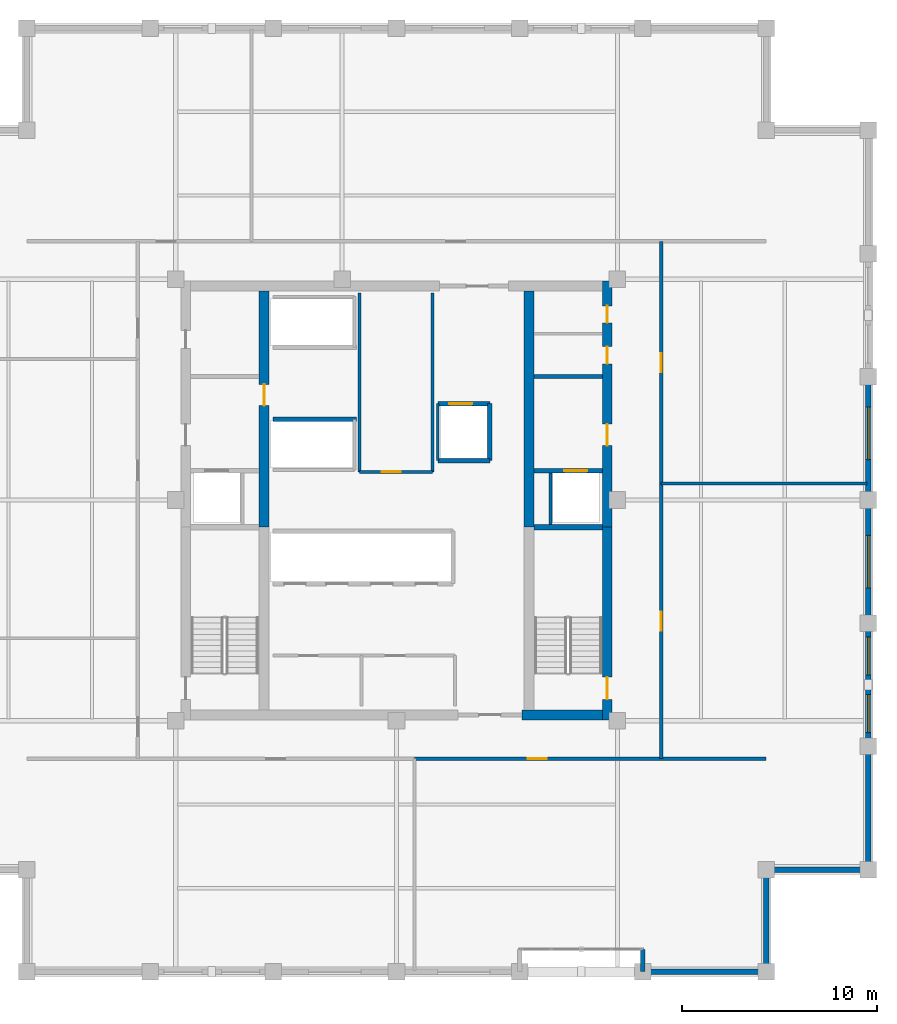
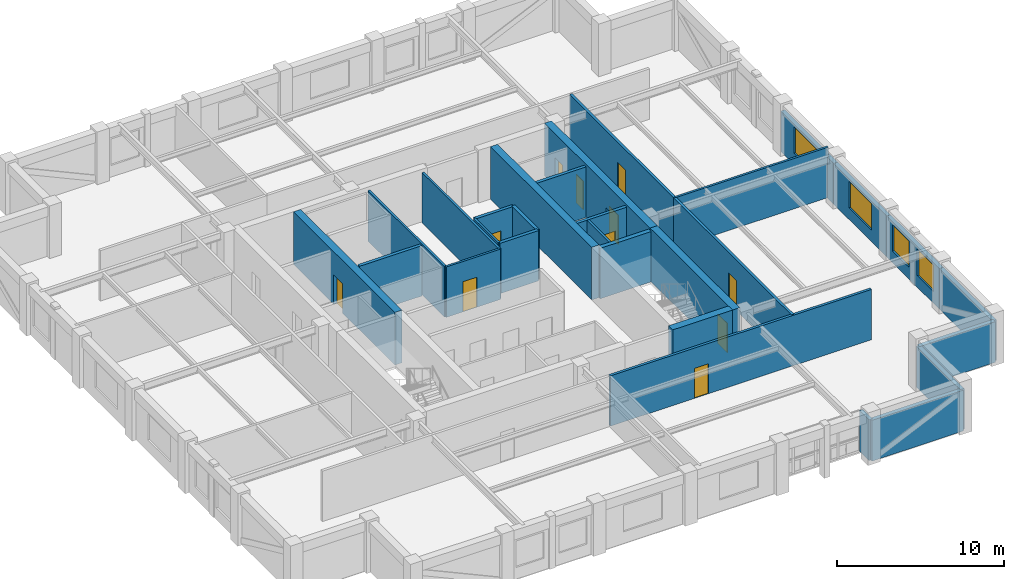
# One storey, part 7 of 10: 29 walls, 11 doors, 4 windows, 15 openings.
"""IFC4 building model written with IfcOpenShell, lengths in metres."""

from ifc_helpers import new_model, si_unit, direction, frame, frame_2d, origin, place, context, subcontext, project, spatial, rectangle, extrude, material, layer, layer_set, type_object, element, fill, save


model = new_model("IFC4")

# Units and contexts
model_context = context("Model", 3, precision=1e-05, world=origin(), true_north=direction((0.0, 1.0)))
body_context = subcontext(model_context, "Body", "Model", "MODEL_VIEW")
ifc_project = project(units=[si_unit("LENGTHUNIT", "METRE"), si_unit("AREAUNIT", "SQUARE_METRE"), si_unit("VOLUMEUNIT", "CUBIC_METRE"), si_unit("PLANEANGLEUNIT", "RADIAN"), si_unit("MASSUNIT", "GRAM", prefix="KILO")], contexts=[model_context])

# Site, building, storey
site_placement = place(None, origin())
site = spatial("IfcSite", under=ifc_project, at=site_placement, CompositionType="ELEMENT")
building_placement = place(site_placement, origin())
building = spatial("IfcBuilding", under=site, at=building_placement, Name="Nhamokura Convention Tower", CompositionType="ELEMENT")
storey_placement = place(building_placement, frame((0.0, 0.0, 210.0)))
storey = spatial("IfcBuildingStorey", under=building, at=storey_placement, Name="L51", CompositionType="ELEMENT", Elevation=210.0)

# Walls
ifc_material_1 = material(Name="Bronze-pigmented precast concrete C45/55", Category="concrete")
ifc_layer_1 = layer(ifc_material_1, 0.280029296875)
ifc_layer_set_1 = layer_set([ifc_layer_1], Name="BronzePrecastSpandrel_280")
wall_type_1 = type_object("IfcWallType", Name="BronzePrecastSpandrel_280", PredefinedType="USERDEFINED", material=ifc_layer_set_1)
wall_1_placement = place(storey_placement, frame((44.666748046875, 7.75, 0.0), z_axis=(0.0, 0.0, 1.0), x_axis=(0.0, 1.0, 0.0)))
element("IfcWall", 1, at=wall_1_placement, inside=storey, type_object=wall_type_1, Name="L51 Scale Slot Cheek Wall SOUTHB", ObjectType="SPANDREL_WALL", PredefinedType="USERDEFINED", context=body_context, shape_type="SweptSolid", body=[
    extrude(rectangle(XDim=1.14990234375, YDim=0.239990234375, at=frame_2d((0.574951171875, 0.0))), origin(), (0.0, 0.0, 1.0), 2.985107421875),
])
for number, where, z_axis, x_axis, name in (
    (2, (51.0, 7.75, 0.0), (0.0, 0.0, 1.0), (-1.0, 0.0, 0.0), "L51 Braced-Bay Precast Wall SOUTH 5"),
    (3, (56.25, 19.333251953125, 0.0), (0.0, 0.0, 1.0), (0.0, -1.0, 0.0), "L51 Braced-Bay Precast Wall EAST 0"),
):
    element("IfcWall", number, at=place(storey_placement, frame(where, z_axis=z_axis, x_axis=x_axis)), inside=storey, type_object=wall_type_1, Name=name, ObjectType="SPANDREL_WALL", PredefinedType="USERDEFINED", context=body_context, shape_type="SweptSolid", body=[
        extrude(rectangle(XDim=6.333251953125, YDim=0.280029296875, at=frame_2d((3.16650390625, 0.0))), origin(), (0.0, 0.0, 1.0), 2.985107421875),
    ])

# Wall, openings, windows
wall_2_placement = place(storey_placement, frame((56.25, 25.666748046875, 0.0), z_axis=(0.0, 0.0, 1.0), x_axis=(0.0, -1.0, 0.0)))
wall_2 = element("IfcWall", 4, at=wall_2_placement, inside=storey, type_object=wall_type_1, Name="L51 Masonry-Frame Wall EAST 1", ObjectType="SPANDREL_WALL", PredefinedType="USERDEFINED", context=body_context, shape_type="SweptSolid", body=[
    extrude(rectangle(XDim=6.33349609375, YDim=0.280029296875, at=frame_2d((3.166748046875, 0.0))), origin(), (0.0, 0.0, 1.0), 2.985107421875),
])
opening_1_placement = place(wall_2_placement, frame((0.708251953125, 0.0, 0.85009765625)))
opening_1 = element("IfcOpeningElement", 5, at=opening_1_placement, cuts=wall_2, Name="Opening W-08", PredefinedType="OPENING", context=body_context, shape_type="SweptSolid", body=[
    extrude(rectangle(XDim=1.949951171875, YDim=1.93505859375, at=frame_2d((0.97509765625, 0.967529296875))), frame((0.0, 0.14990234375, 0.0), z_axis=(0.0, -1.0, 0.0), x_axis=(1.0, 0.0, 0.0)), (0.0, 0.0, 1.0), 0.300048828125),
])
opening_2_placement = place(wall_2_placement, frame((3.675048828125, 0.0, 0.85009765625)))
opening_2 = element("IfcOpeningElement", 6, at=opening_2_placement, cuts=wall_2, Name="Opening W-08", PredefinedType="OPENING", context=body_context, shape_type="SweptSolid", body=[
    extrude(rectangle(XDim=1.949951171875, YDim=1.93505859375, at=frame_2d((0.97509765625, 0.967529296875))), frame((0.0, 0.14990234375, 0.0), z_axis=(0.0, -1.0, 0.0), x_axis=(1.0, 0.0, 0.0)), (0.0, 0.0, 1.0), 0.300048828125),
])
ifc_material_2 = material(Name="Solar-control bronze low-E double glass", Category="glass")
window_type_1 = type_object("IfcWindowType", Name="OfficeModuleWindow_Z3_1950", PartitioningType="SINGLE_PANEL", PredefinedType="WINDOW", material=ifc_material_2)
window_1_placement = place(opening_1_placement, origin())
window_1 = element("IfcWindow", 7, at=window_1_placement, inside=storey, type_object=window_type_1, Name="L51 Facade Window EAST 1-1", OverallHeight=1.93505859375, OverallWidth=1.949951171875, PartitioningType="SINGLE_PANEL", PredefinedType="WINDOW", context=body_context, shape_type="SweptSolid", body=[
    extrude(rectangle(XDim=1.949951171875, YDim=1.93505859375, at=frame_2d((0.97509765625, 0.967529296875))), frame((0.0, 0.030029296875, 0.0), z_axis=(0.0, -1.0, 0.0), x_axis=(1.0, 0.0, 0.0)), (0.0, 0.0, 1.0), 0.06005859375),
])
fill(opening_1, window_1)
window_2_placement = place(opening_2_placement, origin())
window_2 = element("IfcWindow", 8, at=window_2_placement, inside=storey, type_object=window_type_1, Name="L51 Facade Window EAST 1-2", OverallHeight=1.93505859375, OverallWidth=1.949951171875, PartitioningType="SINGLE_PANEL", PredefinedType="WINDOW", context=body_context, shape_type="SweptSolid", body=[
    extrude(rectangle(XDim=1.949951171875, YDim=1.93505859375, at=frame_2d((0.97509765625, 0.967529296875))), frame((0.0, 0.030029296875, 0.0), z_axis=(0.0, -1.0, 0.0), x_axis=(1.0, 0.0, 0.0)), (0.0, 0.0, 1.0), 0.06005859375),
])
fill(opening_2, window_2)

# Wall, opening, window
wall_3_placement = place(storey_placement, frame((56.25, 32.0, 0.0), z_axis=(0.0, 0.0, 1.0), x_axis=(0.0, -1.0, 0.0)))
wall_3 = element("IfcWall", 9, at=wall_3_placement, inside=storey, type_object=wall_type_1, Name="L51 Masonry-Frame Wall EAST 2", ObjectType="SPANDREL_WALL", PredefinedType="USERDEFINED", context=body_context, shape_type="SweptSolid", body=[
    extrude(rectangle(XDim=6.333251953125, YDim=0.280029296875, at=frame_2d((3.16650390625, 0.0))), origin(), (0.0, 0.0, 1.0), 2.985107421875),
])
opening_3_placement = place(wall_3_placement, frame((1.816650390625, 0.0, 0.85009765625)))
opening_3 = element("IfcOpeningElement", 10, at=opening_3_placement, cuts=wall_3, Name="Opening W-07", PredefinedType="OPENING", context=body_context, shape_type="SweptSolid", body=[
    extrude(rectangle(XDim=2.699951171875, YDim=1.93505859375, at=frame_2d((1.35009765625, 0.967529296875))), frame((0.0, 0.14990234375, 0.0), z_axis=(0.0, -1.0, 0.0), x_axis=(1.0, 0.0, 0.0)), (0.0, 0.0, 1.0), 0.300048828125),
])
ifc_material_3 = material(Name="Solar-control bronze low-E double glass", Category="glass")
window_type_2 = type_object("IfcWindowType", Name="OfficeModuleWindow_Z3_2700", PartitioningType="DOUBLE_PANEL_VERTICAL", PredefinedType="WINDOW", material=ifc_material_3)
window_3_placement = place(opening_3_placement, origin())
window_3 = element("IfcWindow", 11, at=window_3_placement, inside=storey, type_object=window_type_2, Name="L51 Facade Window EAST 2", OverallHeight=1.93505859375, OverallWidth=2.699951171875, PartitioningType="SINGLE_PANEL", PredefinedType="WINDOW", context=body_context, shape_type="SweptSolid", body=[
    extrude(rectangle(XDim=2.699951171875, YDim=1.93505859375, at=frame_2d((1.35009765625, 0.967529296875))), frame((0.0, 0.030029296875, 0.0), z_axis=(0.0, -1.0, 0.0), x_axis=(1.0, 0.0, 0.0)), (0.0, 0.0, 1.0), 0.06005859375),
])
fill(opening_3, window_3)

wall_4_placement = place(storey_placement, frame((56.25, 38.333251953125, 0.0), z_axis=(0.0, 0.0, 1.0), x_axis=(0.0, -1.0, 0.0)))
wall_4 = element("IfcWall", 12, at=wall_4_placement, inside=storey, type_object=wall_type_1, Name="L51 Masonry-Frame Wall EAST 3", ObjectType="SPANDREL_WALL", PredefinedType="USERDEFINED", context=body_context, shape_type="SweptSolid", body=[
    extrude(rectangle(XDim=6.333251953125, YDim=0.280029296875, at=frame_2d((3.16650390625, 0.0))), origin(), (0.0, 0.0, 1.0), 2.985107421875),
])
opening_4_placement = place(wall_4_placement, frame((1.55419921875, 0.0, 0.85009765625)))
opening_4 = element("IfcOpeningElement", 13, at=opening_4_placement, cuts=wall_4, Name="Opening W-07", PredefinedType="OPENING", context=body_context, shape_type="SweptSolid", body=[
    extrude(rectangle(XDim=2.699951171875, YDim=1.93505859375, at=frame_2d((1.35009765625, 0.967529296875))), frame((0.0, 0.14990234375, 0.0), z_axis=(0.0, -1.0, 0.0), x_axis=(1.0, 0.0, 0.0)), (0.0, 0.0, 1.0), 0.300048828125),
])
window_4_placement = place(opening_4_placement, origin())
window_4 = element("IfcWindow", 14, at=window_4_placement, inside=storey, type_object=window_type_2, Name="L51 Facade Window EAST 3", OverallHeight=1.93505859375, OverallWidth=2.699951171875, PartitioningType="SINGLE_PANEL", PredefinedType="WINDOW", context=body_context, shape_type="SweptSolid", body=[
    extrude(rectangle(XDim=2.699951171875, YDim=1.93505859375, at=frame_2d((1.35009765625, 0.967529296875))), frame((0.0, 0.030029296875, 0.0), z_axis=(0.0, -1.0, 0.0), x_axis=(1.0, 0.0, 0.0)), (0.0, 0.0, 1.0), 0.06005859375),
])
fill(opening_4, window_4)

# Walls
for number, where, z_axis, x_axis, name in (
    (15, (51.0, 13.0, 0.0), (0.0, 0.0, 1.0), (0.0, -1.0, 0.0), "L51 Notched Corner Wall SE1"),
    (16, (56.25, 13.0, 0.0), (0.0, 0.0, 1.0), (-1.0, 0.0, 0.0), "L51 Notched Corner Wall SE2"),
):
    element("IfcWall", number, at=place(storey_placement, frame(where, z_axis=z_axis, x_axis=x_axis)), inside=storey, type_object=wall_type_1, Name=name, ObjectType="SPANDREL_WALL", PredefinedType="USERDEFINED", context=body_context, shape_type="SweptSolid", body=[
        extrude(rectangle(XDim=5.25, YDim=0.280029296875, at=frame_2d((2.625, 0.0))), origin(), (0.0, 0.0, 1.0), 2.985107421875),
    ])

# Wall, opening, door
ifc_material_4 = material(Name="Concrete C60/75", Category="concrete")
ifc_layer_2 = layer(ifc_material_4, 0.5)
ifc_layer_set_2 = layer_set([ifc_layer_2], Name="CoreShearWall_500")
wall_type_2 = type_object("IfcWallType", Name="CoreShearWall_500", PredefinedType="SHEAR", material=ifc_layer_set_2)
wall_5_placement = place(storey_placement, frame((42.840087890625, 20.699951171875, 0.0), z_axis=(0.0, 0.0, 1.0), x_axis=(0.0, 1.0, 0.0)))
wall_5 = element("IfcWall", 17, at=wall_5_placement, inside=storey, type_object=wall_type_2, Name="L51 Core Shear Wall CW-ES", PredefinedType="SHEAR", context=body_context, shape_type="SweptSolid", body=[
    extrude(rectangle(XDim=9.900146484375, YDim=0.5, at=frame_2d((4.9501953125, 0.0))), origin(), (0.0, 0.0, 1.0), 3.85009765625),
])
opening_5_placement = place(wall_5_placement, frame((1.050048828125, 0.0, 0.0)))
opening_5 = element("IfcOpeningElement", 18, at=opening_5_placement, cuts=wall_5, Name="Opening D-04", PredefinedType="OPENING", context=body_context, shape_type="SweptSolid", body=[
    extrude(rectangle(XDim=1.14990234375, YDim=2.14990234375, at=frame_2d((0.574951171875, 1.074951171875))), frame((0.0, 0.260009765625, 0.0), z_axis=(0.0, -1.0, 0.0), x_axis=(1.0, 0.0, 0.0)), (0.0, 0.0, 1.0), 0.52001953125),
])
ifc_material_5 = material(Name="Fire-rated steel door", Category="steel")
door_type_1 = type_object("IfcDoorType", Name="StairSmokeDoor_1150", OperationType="NOTDEFINED", PredefinedType="DOOR", material=ifc_material_5)
door_1_placement = place(opening_5_placement, origin())
door_1 = element("IfcDoor", 19, at=door_1_placement, inside=storey, type_object=door_type_1, Name="L51 Core Door INT-L51-D-ST02", OperationType="SINGLE_SWING_RIGHT", OverallHeight=2.14990234375, OverallWidth=1.14990234375, PredefinedType="DOOR", context=body_context, shape_type="SweptSolid", body=[
    extrude(rectangle(XDim=1.14990234375, YDim=2.14990234375, at=frame_2d((0.574951171875, 1.074951171875))), frame((0.0, 0.02490234375, 0.0), z_axis=(0.0, -1.0, 0.0), x_axis=(1.0, 0.0, 0.0)), (0.0, 0.0, 1.0), 0.050048828125),
])
fill(opening_5, door_1)

# Wall, openings, doors
wall_6_placement = place(storey_placement, frame((42.840087890625, 30.60009765625, 0.0), z_axis=(0.0, 0.0, 1.0), x_axis=(0.0, 1.0, 0.0)))
wall_6 = element("IfcWall", 20, at=wall_6_placement, inside=storey, type_object=wall_type_2, Name="L51 Core Shear Wall CW-EN", PredefinedType="SHEAR", context=body_context, shape_type="SweptSolid", body=[
    extrude(rectangle(XDim=12.64990234375, YDim=0.5, at=frame_2d((6.324951171875, 0.0))), origin(), (0.0, 0.0, 1.0), 3.85009765625),
])
opening_6_placement = place(wall_6_placement, frame((4.199951171875, 0.0, 0.0)))
opening_6 = element("IfcOpeningElement", 21, at=opening_6_placement, cuts=wall_6, Name="Opening D-05", PredefinedType="OPENING", context=body_context, shape_type="SweptSolid", body=[
    extrude(rectangle(XDim=1.10009765625, YDim=2.14990234375, at=frame_2d((0.550048828125, 1.074951171875))), frame((0.0, 0.260009765625, 0.0), z_axis=(0.0, -1.0, 0.0), x_axis=(1.0, 0.0, 0.0)), (0.0, 0.0, 1.0), 0.52001953125),
])
opening_7_placement = place(wall_6_placement, frame((8.39990234375, 0.0, 0.0)))
opening_7 = element("IfcOpeningElement", 22, at=opening_7_placement, cuts=wall_6, Name="Opening D-11", PredefinedType="OPENING", context=body_context, shape_type="SweptSolid", body=[
    extrude(rectangle(XDim=0.8798828125, YDim=2.10009765625, at=frame_2d((0.43994140625, 1.050048828125))), frame((0.0, 0.260009765625, 0.0), z_axis=(0.0, -1.0, 0.0), x_axis=(1.0, 0.0, 0.0)), (0.0, 0.0, 1.0), 0.52001953125),
])
opening_8_placement = place(wall_6_placement, frame((10.5, 0.0, 0.0)))
opening_8 = element("IfcOpeningElement", 23, at=opening_8_placement, cuts=wall_6, Name="Opening D-11", PredefinedType="OPENING", context=body_context, shape_type="SweptSolid", body=[
    extrude(rectangle(XDim=0.8798828125, YDim=2.10009765625, at=frame_2d((0.43994140625, 1.050048828125))), frame((0.0, 0.260009765625, 0.0), z_axis=(0.0, -1.0, 0.0), x_axis=(1.0, 0.0, 0.0)), (0.0, 0.0, 1.0), 0.52001953125),
])
ifc_material_6 = material(Name="Solid oak hardwood", Category="wood")
door_type_2 = type_object("IfcDoorType", Name="BathroomDoor_880", OperationType="NOTDEFINED", PredefinedType="DOOR", material=ifc_material_6)
door_2_placement = place(opening_7_placement, origin())
door_2 = element("IfcDoor", 24, at=door_2_placement, inside=storey, type_object=door_type_2, Name="L51 Core Door INT-L51-D-MWC", OperationType="SINGLE_SWING_RIGHT", OverallHeight=2.10009765625, OverallWidth=0.8798828125, PredefinedType="DOOR", context=body_context, shape_type="SweptSolid", body=[
    extrude(rectangle(XDim=0.8798828125, YDim=2.10009765625, at=frame_2d((0.43994140625, 1.050048828125))), frame((0.0, 0.02490234375, 0.0), z_axis=(0.0, -1.0, 0.0), x_axis=(1.0, 0.0, 0.0)), (0.0, 0.0, 1.0), 0.050048828125),
])
fill(opening_7, door_2)
door_3_placement = place(opening_8_placement, origin())
door_3 = element("IfcDoor", 25, at=door_3_placement, inside=storey, type_object=door_type_2, Name="L51 Core Door INT-L51-D-FWC", OperationType="SINGLE_SWING_LEFT", OverallHeight=2.10009765625, OverallWidth=0.8798828125, PredefinedType="DOOR", context=body_context, shape_type="SweptSolid", body=[
    extrude(rectangle(XDim=0.8798828125, YDim=2.10009765625, at=frame_2d((0.43994140625, 1.050048828125))), frame((0.0, 0.02490234375, 0.0), z_axis=(0.0, -1.0, 0.0), x_axis=(1.0, 0.0, 0.0)), (0.0, 0.0, 1.0), 0.050048828125),
])
fill(opening_8, door_3)
ifc_material_7 = material(Name="Fire-rated steel door", Category="steel")
door_type_3 = type_object("IfcDoorType", Name="FireLobbyDoor_1100", OperationType="NOTDEFINED", PredefinedType="DOOR", material=ifc_material_7)
door_4_placement = place(opening_6_placement, origin())
door_4 = element("IfcDoor", 26, at=door_4_placement, inside=storey, type_object=door_type_3, Name="L51 Core Door INT-L51-D-FFLE", OperationType="SINGLE_SWING_LEFT", OverallHeight=2.14990234375, OverallWidth=1.10009765625, PredefinedType="DOOR", context=body_context, shape_type="SweptSolid", body=[
    extrude(rectangle(XDim=1.10009765625, YDim=2.14990234375, at=frame_2d((0.550048828125, 1.074951171875))), frame((0.0, 0.02490234375, 0.0), z_axis=(0.0, -1.0, 0.0), x_axis=(1.0, 0.0, 0.0)), (0.0, 0.0, 1.0), 0.050048828125),
])
fill(opening_6, door_4)

# Wall
wall_7_placement = place(storey_placement, frame((38.449951171875, 20.949951171875, 0.0), z_axis=(0.0, 0.0, 1.0), x_axis=(1.0, 0.0, 0.0)))
element("IfcWall", 27, at=wall_7_placement, inside=storey, type_object=wall_type_2, Name="L51 Core Shear Wall CW-S2", PredefinedType="SHEAR", context=body_context, shape_type="SweptSolid", body=[
    extrude(rectangle(XDim=4.14013671875, YDim=0.5, at=frame_2d((2.070068359375, 0.0))), origin(), (0.0, 0.0, 1.0), 3.85009765625),
])

# Wall, opening, door
wall_8_placement = place(storey_placement, frame((25.18994140625, 30.60009765625, 0.0), z_axis=(0.0, 0.0, 1.0), x_axis=(0.0, 1.0, 0.0)))
wall_8 = element("IfcWall", 28, at=wall_8_placement, inside=storey, type_object=wall_type_2, Name="L51 Core Shear Wall CW-IWN", PredefinedType="SHEAR", context=body_context, shape_type="SweptSolid", body=[
    extrude(rectangle(XDim=12.14990234375, YDim=0.5, at=frame_2d((6.074951171875, 0.0))), origin(), (0.0, 0.0, 1.0), 3.85009765625),
])
opening_9_placement = place(wall_8_placement, frame((6.25, 0.0, 0.0)))
opening_9 = element("IfcOpeningElement", 29, at=opening_9_placement, cuts=wall_8, Name="Opening D-05", PredefinedType="OPENING", context=body_context, shape_type="SweptSolid", body=[
    extrude(rectangle(XDim=1.10009765625, YDim=2.14990234375, at=frame_2d((0.550048828125, 1.074951171875))), frame((0.0, 0.260009765625, 0.0), z_axis=(0.0, -1.0, 0.0), x_axis=(1.0, 0.0, 0.0)), (0.0, 0.0, 1.0), 0.52001953125),
])
door_5_placement = place(opening_9_placement, origin())
door_5 = element("IfcDoor", 30, at=door_5_placement, inside=storey, type_object=door_type_3, Name="L51 Core Door INT-L51-D-B3LOB", OperationType="SINGLE_SWING_LEFT", OverallHeight=2.14990234375, OverallWidth=1.10009765625, PredefinedType="DOOR", context=body_context, shape_type="SweptSolid", body=[
    extrude(rectangle(XDim=1.10009765625, YDim=2.14990234375, at=frame_2d((0.550048828125, 1.074951171875))), frame((0.0, 0.02490234375, 0.0), z_axis=(0.0, -1.0, 0.0), x_axis=(1.0, 0.0, 0.0)), (0.0, 0.0, 1.0), 0.050048828125),
])
fill(opening_9, door_5)

# Wall
wall_9_placement = place(storey_placement, frame((38.81005859375, 30.60009765625, 0.0), z_axis=(0.0, 0.0, 1.0), x_axis=(0.0, 1.0, 0.0)))
element("IfcWall", 31, at=wall_9_placement, inside=storey, type_object=wall_type_2, Name="L51 Core Shear Wall CW-IEN", PredefinedType="SHEAR", context=body_context, shape_type="SweptSolid", body=[
    extrude(rectangle(XDim=12.14990234375, YDim=0.5, at=frame_2d((6.074951171875, 0.0))), origin(), (0.0, 0.0, 1.0), 3.85009765625),
])

# Wall, opening, door
ifc_material_8 = material(Name="Fire-rated gypsum and masonry partition", Category="masonry")
ifc_layer_3 = layer(ifc_material_8, 0.179931640625)
ifc_layer_set_3 = layer_set([ifc_layer_3], Name="CorridorRatedWall_180")
wall_type_3 = type_object("IfcWallType", Name="CorridorRatedWall_180", PredefinedType="STANDARD", material=ifc_layer_set_3)
wall_10_placement = place(storey_placement, frame((32.925048828125, 18.699951171875, 0.0), z_axis=(0.0, 0.0, 1.0), x_axis=(1.0, 0.0, 0.0)))
wall_10 = element("IfcWall", 32, at=wall_10_placement, inside=storey, type_object=wall_type_3, Name="L51 Wall INT-L51-CW-S01", PredefinedType="STANDARD", context=body_context, shape_type="SweptSolid", body=[
    extrude(rectangle(XDim=18.074951171875, YDim=0.179931640625, at=frame_2d((9.03759765625, 0.0))), origin(), (0.0, 0.0, 1.0), 3.68505859375),
])
opening_10_placement = place(wall_10_placement, frame((5.8125, 0.0, 0.0)))
opening_10 = element("IfcOpeningElement", 33, at=opening_10_placement, cuts=wall_10, Name="Opening D-08", PredefinedType="OPENING", context=body_context, shape_type="SweptSolid", body=[
    extrude(rectangle(XDim=0.97998046875, YDim=2.199951171875, at=frame_2d((0.489990234375, 1.10009765625))), frame((0.0, 0.099853515625, 0.0), z_axis=(0.0, -1.0, 0.0), x_axis=(1.0, 0.0, 0.0)), (0.0, 0.0, 1.0), 0.199951171875),
])
ifc_material_9 = material(Name="Solid oak hardwood", Category="wood")
door_type_4 = type_object("IfcDoorType", Name="OfficeEntryDoor_980", OperationType="NOTDEFINED", PredefinedType="DOOR", material=ifc_material_9)
door_6_placement = place(opening_10_placement, origin())
door_6 = element("IfcDoor", 34, at=door_6_placement, inside=storey, type_object=door_type_4, Name="L51 Model Workshop S02 Door", OperationType="SINGLE_SWING_RIGHT", OverallHeight=2.199951171875, OverallWidth=0.97998046875, PredefinedType="DOOR", context=body_context, shape_type="SweptSolid", body=[
    extrude(rectangle(XDim=0.97998046875, YDim=2.199951171875, at=frame_2d((0.489990234375, 1.10009765625))), frame((0.0, 0.02490234375, 0.0), z_axis=(0.0, -1.0, 0.0), x_axis=(1.0, 0.0, 0.0)), (0.0, 0.0, 1.0), 0.050048828125),
])
fill(opening_10, door_6)

wall_11_placement = place(storey_placement, frame((45.60009765625, 18.699951171875, 0.0), z_axis=(0.0, 0.0, 1.0), x_axis=(0.0, 1.0, 0.0)))
wall_11 = element("IfcWall", 35, at=wall_11_placement, inside=storey, type_object=wall_type_3, Name="L51 Wall INT-L51-CW-E00", PredefinedType="STANDARD", context=body_context, shape_type="SweptSolid", body=[
    extrude(rectangle(XDim=14.150146484375, YDim=0.179931640625, at=frame_2d((7.0751953125, 0.0))), origin(), (0.0, 0.0, 1.0), 3.68505859375),
])
opening_11_placement = place(wall_11_placement, frame((6.574951171875, 0.0, 0.0)))
opening_11 = element("IfcOpeningElement", 36, at=opening_11_placement, cuts=wall_11, Name="Opening D-08", PredefinedType="OPENING", context=body_context, shape_type="SweptSolid", body=[
    extrude(rectangle(XDim=0.97998046875, YDim=2.199951171875, at=frame_2d((0.489990234375, 1.10009765625))), frame((0.0, 0.099853515625, 0.0), z_axis=(0.0, -1.0, 0.0), x_axis=(1.0, 0.0, 0.0)), (0.0, 0.0, 1.0), 0.199951171875),
])
door_7_placement = place(opening_11_placement, origin())
door_7 = element("IfcDoor", 37, at=door_7_placement, inside=storey, type_object=door_type_4, Name="L51 Client Lounge E01 Door", OperationType="SINGLE_SWING_LEFT", OverallHeight=2.199951171875, OverallWidth=0.97998046875, PredefinedType="DOOR", context=body_context, shape_type="SweptSolid", body=[
    extrude(rectangle(XDim=0.97998046875, YDim=2.199951171875, at=frame_2d((0.489990234375, 1.10009765625))), frame((0.0, 0.02490234375, 0.0), z_axis=(0.0, -1.0, 0.0), x_axis=(1.0, 0.0, 0.0)), (0.0, 0.0, 1.0), 0.050048828125),
])
fill(opening_11, door_7)

wall_12_placement = place(storey_placement, frame((45.60009765625, 32.85009765625, 0.0), z_axis=(0.0, 0.0, 1.0), x_axis=(0.0, 1.0, 0.0)))
wall_12 = element("IfcWall", 38, at=wall_12_placement, inside=storey, type_object=wall_type_3, Name="L51 Wall INT-L51-CW-E01", PredefinedType="STANDARD", context=body_context, shape_type="SweptSolid", body=[
    extrude(rectangle(XDim=12.449951171875, YDim=0.179931640625, at=frame_2d((6.22509765625, 0.0))), origin(), (0.0, 0.0, 1.0), 3.68505859375),
])
opening_12_placement = place(wall_12_placement, frame((5.72509765625, 0.0, 0.0)))
opening_12 = element("IfcOpeningElement", 39, at=opening_12_placement, cuts=wall_12, Name="Opening D-08", PredefinedType="OPENING", context=body_context, shape_type="SweptSolid", body=[
    extrude(rectangle(XDim=0.97998046875, YDim=2.199951171875, at=frame_2d((0.489990234375, 1.10009765625))), frame((0.0, 0.099853515625, 0.0), z_axis=(0.0, -1.0, 0.0), x_axis=(1.0, 0.0, 0.0)), (0.0, 0.0, 1.0), 0.199951171875),
])
door_8_placement = place(opening_12_placement, origin())
door_8 = element("IfcDoor", 40, at=door_8_placement, inside=storey, type_object=door_type_4, Name="L51 Collaboration Lounge E02 Door", OperationType="SINGLE_SWING_RIGHT", OverallHeight=2.199951171875, OverallWidth=0.97998046875, PredefinedType="DOOR", context=body_context, shape_type="SweptSolid", body=[
    extrude(rectangle(XDim=0.97998046875, YDim=2.199951171875, at=frame_2d((0.489990234375, 1.10009765625))), frame((0.0, 0.02490234375, 0.0), z_axis=(0.0, -1.0, 0.0), x_axis=(1.0, 0.0, 0.0)), (0.0, 0.0, 1.0), 0.050048828125),
])
fill(opening_12, door_8)

ifc_material_10 = material(Name="Autoclaved concrete blockwork", Category="masonry")
ifc_layer_4 = layer(ifc_material_10, 0.219970703125)
ifc_layer_set_4 = layer_set([ifc_layer_4], Name="FireLobbyWall_220")
wall_type_4 = type_object("IfcWallType", Name="FireLobbyWall_220", PredefinedType="STANDARD", material=ifc_layer_set_4)
wall_13_placement = place(storey_placement, frame((39.06005859375, 33.5, 0.0), z_axis=(0.0, 0.0, 1.0), x_axis=(1.0, 0.0, 0.0)))
wall_13 = element("IfcWall", 41, at=wall_13_placement, inside=storey, type_object=wall_type_4, Name="L51 Wall INT-L51-FFE-S", PredefinedType="STANDARD", context=body_context, shape_type="SweptSolid", body=[
    extrude(rectangle(XDim=3.530029296875, YDim=0.219970703125, at=frame_2d((1.76513671875, 0.0))), origin(), (0.0, 0.0, 1.0), 3.68505859375),
])
opening_13_placement = place(wall_13_placement, frame((1.550048828125, 0.0, 0.0)))
opening_13 = element("IfcOpeningElement", 42, at=opening_13_placement, cuts=wall_13, Name="Opening LD-02", PredefinedType="OPENING", context=body_context, shape_type="SweptSolid", body=[
    extrude(rectangle(XDim=1.199951171875, YDim=2.199951171875, at=frame_2d((0.60009765625, 1.10009765625))), frame((0.0, 0.119873046875, 0.0), z_axis=(0.0, -1.0, 0.0), x_axis=(1.0, 0.0, 0.0)), (0.0, 0.0, 1.0), 0.239990234375),
])
ifc_material_11 = material(Name="Anodised bronze stainless steel", Category="steel")
door_type_5 = type_object("IfcDoorType", Name="LiftLandingDoor_FireService", OperationType="DOUBLE_DOOR_SLIDING", PredefinedType="DOOR", material=ifc_material_11)
door_9_placement = place(opening_13_placement, origin())
door_9 = element("IfcDoor", 43, at=door_9_placement, inside=storey, type_object=door_type_5, Name="L51 Firefighting Lift LF-02 Door", OperationType="DOUBLE_DOOR_SLIDING", OverallHeight=2.199951171875, OverallWidth=1.199951171875, PredefinedType="DOOR", context=body_context, shape_type="SweptSolid", body=[
    extrude(rectangle(XDim=1.199951171875, YDim=2.199951171875, at=frame_2d((0.60009765625, 1.10009765625))), frame((0.0, 0.02490234375, 0.0), z_axis=(0.0, -1.0, 0.0), x_axis=(1.0, 0.0, 0.0)), (0.0, 0.0, 1.0), 0.050048828125),
])
fill(opening_13, door_9)

# Walls
wall_14_placement = place(storey_placement, frame((39.06005859375, 38.35009765625, 0.0), z_axis=(0.0, 0.0, 1.0), x_axis=(1.0, 0.0, 0.0)))
element("IfcWall", 44, at=wall_14_placement, inside=storey, type_object=wall_type_4, Name="L51 Wall INT-L51-FFE-N", PredefinedType="STANDARD", context=body_context, shape_type="SweptSolid", body=[
    extrude(rectangle(XDim=3.530029296875, YDim=0.219970703125, at=frame_2d((1.76513671875, 0.0))), origin(), (0.0, 0.0, 1.0), 3.68505859375),
])
wall_15_placement = place(storey_placement, frame((25.64990234375, 36.14990234375, 0.0), z_axis=(0.0, 0.0, 1.0), x_axis=(1.0, 0.0, 0.0)))
element("IfcWall", 45, at=wall_15_placement, inside=storey, type_object=wall_type_4, Name="L51 Wall INT-L51-B3S", PredefinedType="STANDARD", context=body_context, shape_type="SweptSolid", body=[
    extrude(rectangle(XDim=4.300048828125, YDim=0.219970703125, at=frame_2d((2.14990234375, 0.0))), origin(), (0.0, 0.0, 1.0), 3.68505859375),
])

# Wall, opening, door
wall_16_placement = place(storey_placement, frame((34.1201171875, 36.949951171875, 0.0), z_axis=(0.0, 0.0, 1.0), x_axis=(1.0, 0.0, 0.0)))
wall_16 = element("IfcWall", 46, at=wall_16_placement, inside=storey, type_object=wall_type_4, Name="L51 Wall INT-L51-LSN", PredefinedType="STANDARD", context=body_context, shape_type="SweptSolid", body=[
    extrude(rectangle(XDim=2.679931640625, YDim=0.219970703125, at=frame_2d((1.33984375, 0.0))), origin(), (0.0, 0.0, 1.0), 3.68505859375),
])
opening_14_placement = place(wall_16_placement, frame((0.580078125, 0.0, 0.0)))
opening_14 = element("IfcOpeningElement", 47, at=opening_14_placement, cuts=wall_16, Name="Opening LD-02", PredefinedType="OPENING", context=body_context, shape_type="SweptSolid", body=[
    extrude(rectangle(XDim=1.199951171875, YDim=2.199951171875, at=frame_2d((0.60009765625, 1.10009765625))), frame((0.0, 0.119873046875, 0.0), z_axis=(0.0, -1.0, 0.0), x_axis=(1.0, 0.0, 0.0)), (0.0, 0.0, 1.0), 0.239990234375),
])
door_10_placement = place(opening_14_placement, origin())
door_10 = element("IfcDoor", 48, at=door_10_placement, inside=storey, type_object=door_type_5, Name="L51 Service Lift LS-01 Door", OperationType="DOUBLE_DOOR_SLIDING", OverallHeight=2.199951171875, OverallWidth=1.199951171875, PredefinedType="DOOR", context=body_context, shape_type="SweptSolid", body=[
    extrude(rectangle(XDim=1.199951171875, YDim=2.199951171875, at=frame_2d((0.60009765625, 1.10009765625))), frame((0.0, 0.02490234375, 0.0), z_axis=(0.0, -1.0, 0.0), x_axis=(1.0, 0.0, 0.0)), (0.0, 0.0, 1.0), 0.050048828125),
])
fill(opening_14, door_10)

# Walls
wall_17_placement = place(storey_placement, frame((36.800048828125, 34.02001953125, 0.0), z_axis=(0.0, 0.0, 1.0), x_axis=(0.0, 1.0, 0.0)))
element("IfcWall", 49, at=wall_17_placement, inside=storey, type_object=wall_type_4, Name="L51 Wall INT-L51-LSE", PredefinedType="STANDARD", context=body_context, shape_type="SweptSolid", body=[
    extrude(rectangle(XDim=2.929931640625, YDim=0.219970703125, at=frame_2d((1.46484375, 0.0))), origin(), (0.0, 0.0, 1.0), 3.68505859375),
])
wall_18_placement = place(storey_placement, frame((34.1201171875, 34.02001953125, 0.0), z_axis=(0.0, 0.0, 1.0), x_axis=(1.0, 0.0, 0.0)))
element("IfcWall", 50, at=wall_18_placement, inside=storey, type_object=wall_type_4, Name="L51 Wall INT-L51-LSS", PredefinedType="STANDARD", context=body_context, shape_type="SweptSolid", body=[
    extrude(rectangle(XDim=2.679931640625, YDim=0.219970703125, at=frame_2d((1.33984375, 0.0))), origin(), (0.0, 0.0, 1.0), 3.68505859375),
])
ifc_material_12 = material(Name="Acoustic gypsum stud partition", Category="masonry")
ifc_layer_5 = layer(ifc_material_12, 0.14990234375)
ifc_layer_set_5 = layer_set([ifc_layer_5], Name="InteriorPartition_150")
wall_type_5 = type_object("IfcWallType", Name="InteriorPartition_150", PredefinedType="STANDARD", material=ifc_layer_set_5)
wall_19_placement = place(storey_placement, frame((39.919921875, 30.75, 0.0), z_axis=(0.0, 0.0, 1.0), x_axis=(0.0, 1.0, 0.0)))
element("IfcWall", 51, at=wall_19_placement, inside=storey, type_object=wall_type_5, Name="L51 Wall INT-L51-FF2-W", PredefinedType="STANDARD", context=body_context, shape_type="SweptSolid", body=[
    extrude(rectangle(XDim=2.64990234375, YDim=0.14990234375, at=frame_2d((1.324951171875, 0.0))), origin(), (0.0, 0.0, 1.0), 3.68505859375),
])
for number, where, z_axis, x_axis, name in (
    (52, (30.10009765625, 33.449951171875, 0.0), (0.0, 0.0, 1.0), (0.0, 1.0, 0.0), "L51 Wall INT-L51-ST03W"),
    (53, (33.85009765625, 33.449951171875, 0.0), (0.0, 0.0, 1.0), (0.0, 1.0, 0.0), "L51 Wall INT-L51-ST03E"),
):
    element("IfcWall", number, at=place(storey_placement, frame(where, z_axis=z_axis, x_axis=x_axis)), inside=storey, type_object=wall_type_5, Name=name, PredefinedType="STANDARD", context=body_context, shape_type="SweptSolid", body=[
        extrude(rectangle(XDim=9.199951171875, YDim=0.14990234375, at=frame_2d((4.60009765625, 0.0))), origin(), (0.0, 0.0, 1.0), 3.68505859375),
    ])

# Wall, opening, door
wall_20_placement = place(storey_placement, frame((30.10009765625, 33.449951171875, 0.0), z_axis=(0.0, 0.0, 1.0), x_axis=(1.0, 0.0, 0.0)))
wall_20 = element("IfcWall", 54, at=wall_20_placement, inside=storey, type_object=wall_type_5, Name="L51 Wall INT-L51-ST03S", PredefinedType="STANDARD", context=body_context, shape_type="SweptSolid", body=[
    extrude(rectangle(XDim=3.75, YDim=0.14990234375, at=frame_2d((1.875, 0.0))), origin(), (0.0, 0.0, 1.0), 3.68505859375),
])
opening_15_placement = place(wall_20_placement, frame((1.14990234375, 0.0, 0.0)))
opening_15 = element("IfcOpeningElement", 55, at=opening_15_placement, cuts=wall_20, Name="Opening D-08", PredefinedType="OPENING", context=body_context, shape_type="SweptSolid", body=[
    extrude(rectangle(XDim=0.97998046875, YDim=2.199951171875, at=frame_2d((0.489990234375, 1.10009765625))), frame((0.0, 0.0849609375, 0.0), z_axis=(0.0, -1.0, 0.0), x_axis=(1.0, 0.0, 0.0)), (0.0, 0.0, 1.0), 0.169921875),
])
door_11_placement = place(opening_15_placement, origin())
door_11 = element("IfcDoor", 56, at=door_11_placement, inside=storey, type_object=door_type_4, Name="L51 Wellness and Records Room Door", OperationType="SINGLE_SWING_RIGHT", OverallHeight=2.199951171875, OverallWidth=0.97998046875, PredefinedType="DOOR", context=body_context, shape_type="SweptSolid", body=[
    extrude(rectangle(XDim=0.97998046875, YDim=2.199951171875, at=frame_2d((0.489990234375, 1.10009765625))), frame((0.0, 0.02490234375, 0.0), z_axis=(0.0, -1.0, 0.0), x_axis=(1.0, 0.0, 0.0)), (0.0, 0.0, 1.0), 0.050048828125),
])
fill(opening_15, door_11)

# Walls
wall_21_placement = place(storey_placement, frame((34.1201171875, 34.02001953125, 0.0), z_axis=(0.0, 0.0, 1.0), x_axis=(0.0, 1.0, 0.0)))
element("IfcWall", 57, at=wall_21_placement, inside=storey, type_object=wall_type_5, Name="L51 Wall INT-L51-LSW", PredefinedType="STANDARD", context=body_context, shape_type="SweptSolid", body=[
    extrude(rectangle(XDim=2.929931640625, YDim=0.14990234375, at=frame_2d((1.46484375, 0.0))), origin(), (0.0, 0.0, 1.0), 3.68505859375),
])
wall_22_placement = place(storey_placement, frame((45.60009765625, 32.85009765625, 0.0), z_axis=(0.0, 0.0, 1.0), x_axis=(1.0, 0.0, 0.0)))
element("IfcWall", 58, at=wall_22_placement, inside=storey, type_object=wall_type_5, Name="L51 Wall INT-L51-RW-E01", PredefinedType="STANDARD", context=body_context, shape_type="SweptSolid", body=[
    extrude(rectangle(XDim=10.58984375, YDim=0.14990234375, at=frame_2d((5.294921875, 0.0))), origin(), (0.0, 0.0, 1.0), 3.68505859375),
])
ifc_material_13 = material(Name="Concrete C50/60", Category="concrete")
ifc_layer_6 = layer(ifc_material_13, 0.300048828125)
ifc_layer_set_6 = layer_set([ifc_layer_6], Name="ShaftEnclosureWall_300")
wall_type_6 = type_object("IfcWallType", Name="ShaftEnclosureWall_300", PredefinedType="SHEAR", material=ifc_layer_set_6)
wall_23_placement = place(storey_placement, frame((39.06005859375, 30.60009765625, 0.0), z_axis=(0.0, 0.0, 1.0), x_axis=(1.0, 0.0, 0.0)))
element("IfcWall", 59, at=wall_23_placement, inside=storey, type_object=wall_type_6, Name="L51 Wall INT-L51-ST02-N", PredefinedType="SHEAR", context=body_context, shape_type="SweptSolid", body=[
    extrude(rectangle(XDim=3.530029296875, YDim=0.300048828125, at=frame_2d((1.76513671875, 0.0))), origin(), (0.0, 0.0, 1.0), 3.68505859375),
])

save(model, "model.ifc")
